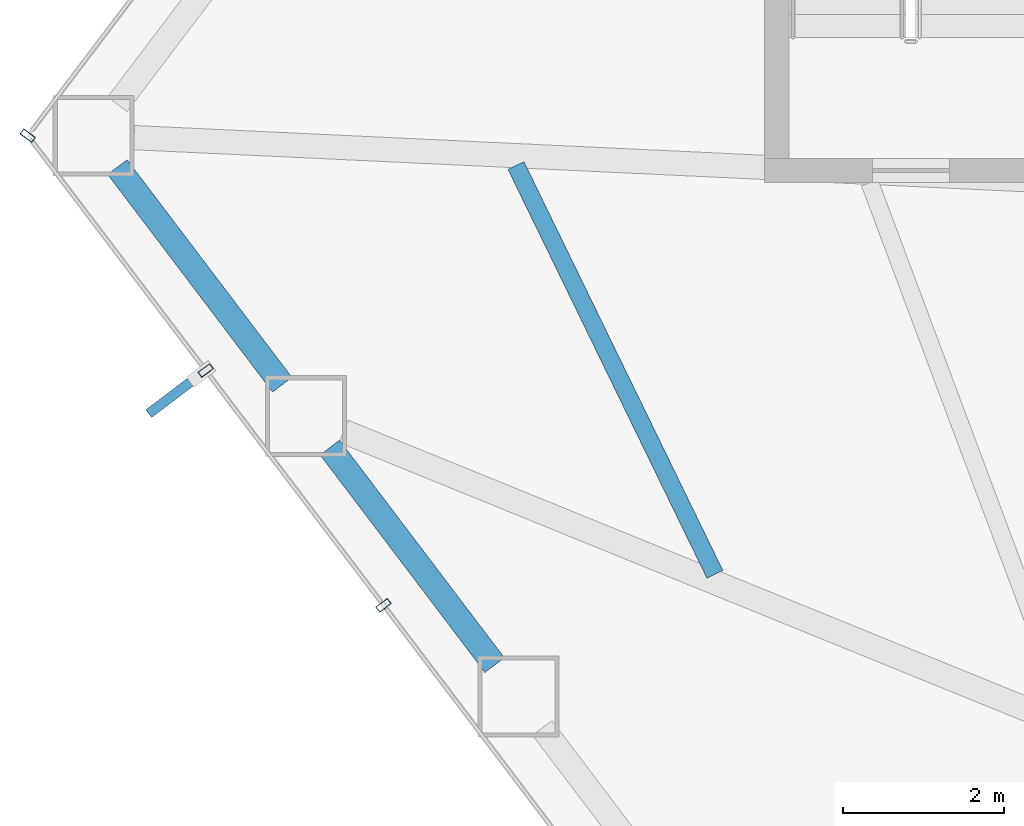
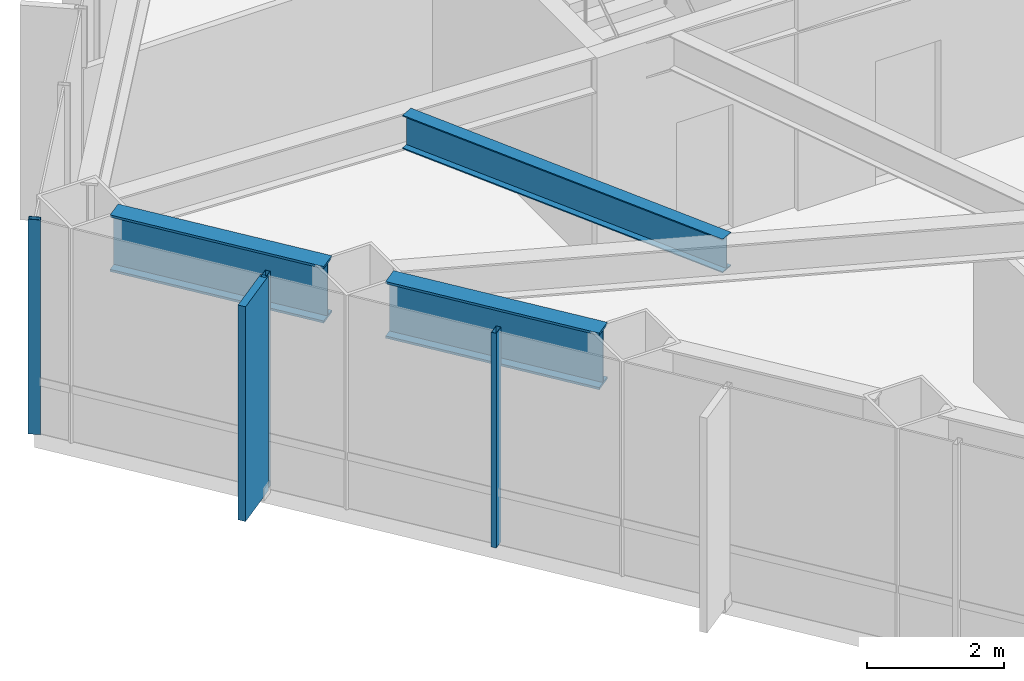
# One storey, part 3 of 26: 4 members, 3 beams, 2 elements without a shape of their own.
"""IFC4 building model written with IfcOpenShell, lengths in metres."""

import ifcopenshell
import ifcopenshell.guid

model = None  # the IFC model being written
_history = None  # IfcOwnerHistory: only IFC2X3 demands one
_inside = {}  # id of a spatial element -> (the spatial element, [elements in it])
_under = {}  # id of a project, library or spatial element -> (it, [spatial elements below it])
_declared = {}  # id of a project -> (the project, [libraries it declares])
_typed = {}  # id of a type object -> (the type object, [elements of that type])
_made_of = {}  # id of a material, layer set ... -> (it, [elements and type objects made of it])


def new_model(schema):
    """Start an empty IFC model of exactly this schema.

    Asked for "IFC4X3", IfcOpenShell would pick the latest addendum, in which some entities
    have other attributes; the version numbers below select the first issue.
    IFC2X3 requires an IfcOwnerHistory on every rooted entity: one is made here for all.
    """
    global model, _history
    if schema == "IFC4X3":
        model = ifcopenshell.file(schema_version=(4, 3, 0, 0))
    else:
        model = ifcopenshell.file(schema=schema)
    _inside.clear()
    _under.clear()
    _declared.clear()
    _typed.clear()
    _made_of.clear()
    _history = None
    if model.schema == "IFC2X3":
        org = make("IfcOrganization", Name="unknown")
        user = make(
            "IfcPersonAndOrganization",
            ThePerson=make("IfcPerson", FamilyName="unknown"),
            TheOrganization=org,
        )
        app = make(
            "IfcApplication",
            ApplicationDeveloper=org,
            Version="unknown",
            ApplicationFullName="unknown",
            ApplicationIdentifier="unknown",
        )
        _history = make(
            "IfcOwnerHistory",
            OwningUser=user,
            OwningApplication=app,
            ChangeAction="ADDED",
            CreationDate=0,
        )
    return model


def make(cls, **values):
    """One entity of the class cls with the attributes given. An attribute that is None is left unset."""
    return model.create_entity(
        cls, **{name: value for name, value in values.items() if value is not None}
    )


def rooted(cls, **values):
    """An entity with a GlobalId (a new one), such as an element, a storey or a relation."""
    return make(cls, GlobalId=ifcopenshell.guid.new(), OwnerHistory=_history, **values)


def si_unit(unit_type, name, prefix=None):
    """IfcSIUnit, for example si_unit("LENGTHUNIT", "METRE", prefix="MILLI")."""
    return make("IfcSIUnit", UnitType=unit_type, Prefix=prefix, Name=name)


def assignment(units):
    """IfcUnitAssignment: the units of a project."""
    return None if units is None else make("IfcUnitAssignment", Units=units)


def point(xyz):
    """IfcCartesianPoint."""
    return None if xyz is None else make("IfcCartesianPoint", Coordinates=xyz)


def direction(xyz):
    """IfcDirection."""
    return None if xyz is None else make("IfcDirection", DirectionRatios=xyz)


def frame(location, z_axis=None, x_axis=None):
    """IfcAxis2Placement3D, a coordinate frame: its origin and axes. An axis left out is left unset."""
    return make(
        "IfcAxis2Placement3D",
        Location=point(location),
        Axis=direction(z_axis),
        RefDirection=direction(x_axis),
    )


def frame_2d(location, x_axis=None):
    """IfcAxis2Placement2D, a coordinate frame in the plane: its origin and x axis."""
    return make(
        "IfcAxis2Placement2D", Location=point(location), RefDirection=direction(x_axis)
    )


def origin():
    """The frame at (0, 0, 0) with its axes left unset."""
    return frame((0.0, 0.0, 0.0))


def origin_2d():
    """The frame at (0, 0) in the plane with its x axis left unset."""
    return frame_2d((0.0, 0.0))


def place(relative_to, where):
    """IfcLocalPlacement: puts the frame where relative to a parent placement (None: the world)."""
    return make(
        "IfcLocalPlacement", PlacementRelTo=relative_to, RelativePlacement=where
    )


def context(
    kind, dimensions, precision=None, world=None, true_north=None, identifier=None
):
    """IfcGeometricRepresentationContext, for example the 3D "Model" context."""
    return make(
        "IfcGeometricRepresentationContext",
        ContextIdentifier=identifier,
        ContextType=kind,
        CoordinateSpaceDimension=dimensions,
        Precision=precision,
        WorldCoordinateSystem=world,
        TrueNorth=true_north,
    )


def subcontext(parent, identifier, kind, view, scale=None):
    """IfcGeometricRepresentationSubContext, for example "Body" below "Model"."""
    return make(
        "IfcGeometricRepresentationSubContext",
        ContextIdentifier=identifier,
        ContextType=kind,
        ParentContext=parent,
        TargetScale=scale,
        TargetView=view,
    )


def project(units=None, contexts=None):
    """IfcProject with its units and contexts."""
    return rooted(
        "IfcProject",
        Name="project",
        RepresentationContexts=contexts,
        UnitsInContext=assignment(units),
    )


def spatial(cls, under=None, at=None, **own):
    """A site, building, storey or space (cls), placed at a placement, below another one or the project."""
    s = rooted(cls, ObjectPlacement=at, **own)
    if under is not None:
        _under.setdefault(under.id(), (under, []))[1].append(s)
    return s


def profile(cls, at=None, kind="AREA", **sizes):
    """A parametric profile (cls). Its sizes go by their IFC names, for example OverallWidth=200.0."""
    return make(cls, ProfileType=kind, Position=at, **sizes)


def rectangle(**sizes):
    """IfcRectangleProfileDef."""
    return profile("IfcRectangleProfileDef", **sizes)


def hollow_rectangle(**sizes):
    """IfcRectangleHollowProfileDef."""
    return profile("IfcRectangleHollowProfileDef", **sizes)


def i_section(**sizes):
    """IfcIShapeProfileDef."""
    return profile("IfcIShapeProfileDef", **sizes)


def extrude(swept, where, along, depth):
    """IfcExtrudedAreaSolid: the profile swept, set in the frame where, extruded along a direction by depth."""
    return make(
        "IfcExtrudedAreaSolid",
        SweptArea=swept,
        Position=where,
        ExtrudedDirection=direction(along),
        Depth=depth,
    )


def shape(context_of_items, identifier, shape_type, items):
    """IfcShapeRepresentation: the items that make up one representation, for example the "Body"."""
    return make(
        "IfcShapeRepresentation",
        ContextOfItems=context_of_items,
        RepresentationIdentifier=identifier,
        RepresentationType=shape_type,
        Items=items,
    )


def material(Name=None, Category=None):
    """IfcMaterial."""
    return make("IfcMaterial", Name=Name, Category=Category)


def layer(
    of_material, thickness, ventilated=None, Name=None, Category=None, Priority=None
):
    """IfcMaterialLayer: one layer of a wall or slab, of a material (None: an air gap)."""
    return make(
        "IfcMaterialLayer",
        Material=of_material,
        LayerThickness=thickness,
        IsVentilated=ventilated,
        Name=Name,
        Category=Category,
        Priority=Priority,
    )


def layer_set(layers, Name=None):
    """IfcMaterialLayerSet."""
    return make("IfcMaterialLayerSet", MaterialLayers=layers, LayerSetName=Name)


def material_profile(
    of_material, cross_section, Name=None, Category=None, Priority=None
):
    """IfcMaterialProfile: a cross section and its material."""
    return make(
        "IfcMaterialProfile",
        Name=Name,
        Material=of_material,
        Profile=cross_section,
        Priority=Priority,
        Category=Category,
    )


def profile_set(profiles, Name=None, composite=None):
    """IfcMaterialProfileSet."""
    return make(
        "IfcMaterialProfileSet",
        Name=Name,
        MaterialProfiles=profiles,
        CompositeProfile=composite,
    )


def made_of(thing, what):
    """Note that an element or type object is made of a material, layer set ...; save() writes the relation."""
    if what is not None:
        _made_of.setdefault(what.id(), (what, []))[1].append(thing)
    return thing


def type_object(cls, material=None, **own):
    """A type object (cls), such as IfcWallType, which elements share."""
    return made_of(rooted(cls, **own), material)


def element(
    cls,
    number,
    at=None,
    inside=None,
    cuts=None,
    type_object=None,
    material=None,
    context=None,
    identifier="Body",
    shape_type=None,
    held_by="IfcProductDefinitionShape",
    body=None,
    shapes=None,
    **own,
):
    """One element of the class cls, such as IfcWall. Its Tag is "e" and its number.

    at: its placement. inside: the storey or other place that contains it. cuts: it is an
    opening in that element (IfcRelVoidsElement). A single representation is given by context,
    identifier, shape_type and body (its items); several are given by shapes. held_by: the class
    of the entity that holds the representations. save() writes the other relations.
    """
    e = rooted(cls, Tag="e%d" % number, ObjectPlacement=at, **own)
    if body is not None:
        shapes = [shape(context, identifier, shape_type, body)]
    if shapes is not None:
        e.Representation = make(held_by, Representations=shapes)
    if inside is not None:
        _inside.setdefault(inside.id(), (inside, []))[1].append(e)
    if cuts is not None:
        rooted(
            "IfcRelVoidsElement", RelatingBuildingElement=cuts, RelatedOpeningElement=e
        )
    if type_object is not None:
        _typed.setdefault(type_object.id(), (type_object, []))[1].append(e)
    return made_of(e, material)


def aggregate(whole, parts):
    """IfcRelAggregates: a whole, such as a stair, and the parts it consists of."""
    return rooted("IfcRelAggregates", RelatingObject=whole, RelatedObjects=parts)


def save(model, path):
    """Write the relations noted so far, then the file.

    IfcRelAggregates (storeys below a building ...), IfcRelContainedInSpatialStructure (elements
    in a storey), IfcRelDefinesByType, IfcRelAssociatesMaterial and IfcRelDeclares: one each for
    every whole, place, type object, material and project.
    """
    for whole, parts in _under.values():
        aggregate(whole, parts)
    for where, things in _inside.values():
        rooted(
            "IfcRelContainedInSpatialStructure",
            RelatedElements=things,
            RelatingStructure=where,
        )
    for kind, things in _typed.values():
        rooted("IfcRelDefinesByType", RelatedObjects=things, RelatingType=kind)
    for what, things in _made_of.values():
        rooted("IfcRelAssociatesMaterial", RelatedObjects=things, RelatingMaterial=what)
    for by, libraries in _declared.values():
        rooted("IfcRelDeclares", RelatingContext=by, RelatedDefinitions=libraries)
    model.write(path)


model = new_model("IFC4")

# Units and contexts
model_context = context("Model", 3, precision=1e-05, world=origin(), true_north=direction((0.0, 1.0)))
body_context = subcontext(model_context, "Body", "Model", "MODEL_VIEW")
ifc_project = project(units=[si_unit("LENGTHUNIT", "METRE"), si_unit("AREAUNIT", "SQUARE_METRE"), si_unit("VOLUMEUNIT", "CUBIC_METRE"), si_unit("PLANEANGLEUNIT", "RADIAN"), si_unit("MASSUNIT", "GRAM", prefix="KILO")], contexts=[model_context])

# Site, building, storey
site_placement = place(None, origin())
site = spatial("IfcSite", under=ifc_project, at=site_placement, CompositionType="ELEMENT")
building_placement = place(site_placement, origin())
building = spatial("IfcBuilding", under=site, at=building_placement, Name="Zarrinselat Tower", CompositionType="ELEMENT")
storey_placement = place(building_placement, frame((0.0, 0.0, 27.5400390625)))
storey = spatial("IfcBuildingStorey", under=building, at=storey_placement, Name="L06", CompositionType="ELEMENT", Elevation=27.5400390625)

# Beams
ifc_material_1 = material(Name="Steel S460M", Category="steel")
ifc_material_profile_1 = material_profile(ifc_material_1, i_section(OverallWidth=0.302001953125, OverallDepth=1.008056640625, WebThickness=0.02099609375, FlangeThickness=0.0400390625, at=origin_2d()), Name="HEM 1000")
ifc_profile_set_1 = profile_set([ifc_material_profile_1], Name="Steel S460M")
beam_type_1 = type_object("IfcBeamType", Name="BM-HEM1000", PredefinedType="BEAM", material=ifc_profile_set_1)
beam_1_placement = place(storey_placement, frame((17.06298828125, 33.342529296875, 3.31591796875), z_axis=(0.603852126588, -0.797096361311, 0.0), x_axis=(0.797096361311, 0.603852126588, 0.0)))
element("IfcBeam", 1, at=beam_1_placement, inside=storey, type_object=beam_type_1, Name="L06 Perimeter Spandrel Girder SP06", PredefinedType="BEAM", context=body_context, shape_type="SweptSolid", body=[
    extrude(i_section(OverallWidth=0.302001953125, OverallDepth=1.008056640625, WebThickness=0.02099609375, FlangeThickness=0.0400390625, at=origin_2d()), origin(), (0.0, 0.0, 1.0), 3.380859375),
])
beam_2_placement = place(storey_placement, frame((19.69384765625, 29.86962890625, 3.31591796875), z_axis=(0.603806241613, -0.797131120073, 0.0), x_axis=(0.797131120073, 0.603806241613, 0.0)))
element("IfcBeam", 2, at=beam_2_placement, inside=storey, type_object=beam_type_1, Name="L06 Perimeter Spandrel Girder SP07", PredefinedType="BEAM", context=body_context, shape_type="SweptSolid", body=[
    extrude(i_section(OverallWidth=0.302001953125, OverallDepth=1.008056640625, WebThickness=0.02099609375, FlangeThickness=0.0400390625, at=origin_2d()), origin(), (0.0, 0.0, 1.0), 3.380615234375),
])
ifc_material_2 = material(Name="Steel S355J2", Category="steel")
ifc_material_profile_2 = material_profile(ifc_material_2, i_section(OverallWidth=0.219970703125, OverallDepth=0.60009765625, WebThickness=0.011962890625, FlangeThickness=0.01904296875, at=origin_2d()), Name="IPE 600")
ifc_profile_set_2 = profile_set([ifc_material_profile_2], Name="Steel S355J2")
beam_type_2 = type_object("IfcBeamType", Name="BM-IPE600", PredefinedType="JOIST", material=ifc_profile_set_2)
beam_3_placement = place(storey_placement, frame((21.999267578125, 33.36181640625, 3.52001953125), z_axis=(0.437542489086, -0.899197737011, 0.0), x_axis=(0.899197737011, 0.437542489086, 0.0)))
element("IfcBeam", 3, at=beam_3_placement, inside=storey, type_object=beam_type_2, Name="L06 Composite Floor Joist 1-1", PredefinedType="JOIST", context=body_context, shape_type="SweptSolid", body=[
    extrude(i_section(OverallWidth=0.219970703125, OverallDepth=0.60009765625, WebThickness=0.011962890625, FlangeThickness=0.01904296875, at=origin_2d()), origin(), (0.0, 0.0, 1.0), 5.62939453125),
])

# Curtain wall, member
ifc_material_3 = material(Name="Extruded Aluminium Alloy EN AW-6063 T6", Category="aluminium")
ifc_layer = layer(ifc_material_3, 0.18505859375)
ifc_layer_set = layer_set([ifc_layer], Name="Extruded Aluminium Alloy EN AW-6063 T6")
curtain_wall_type = type_object("IfcCurtainWallType", Name="CWS-OFF", PredefinedType="NOTDEFINED", material=ifc_layer_set)
curtain_wall_1_placement = place(storey_placement, origin())
curtain_wall_1 = element("IfcCurtainWall", 4, at=curtain_wall_1_placement, inside=storey, type_object=curtain_wall_type, Name="L06 Unitised Curtain Wall CW-L06-E02", PredefinedType="NOTDEFINED")
ifc_material_4 = material(Name="Extruded Aluminium Alloy EN AW-6063 T6", Category="aluminium")
ifc_material_profile_3 = material_profile(ifc_material_4, hollow_rectangle(XDim=0.080078125, YDim=0.179931640625, WallThickness=0.0048828125, at=origin_2d()), Name="RHS 180x80x5")
ifc_profile_set_3 = profile_set([ifc_material_profile_3], Name="Extruded Aluminium Alloy EN AW-6063 T6")
member_type_1 = type_object("IfcMemberType", Name="MEM-CW-MUL", PredefinedType="MULLION", material=ifc_profile_set_3)
member_1_placement = place(storey_placement, frame((15.95263671875, 33.7314453125, 0.0), z_axis=(0.0, 0.0, 1.0), x_axis=(-0.603858715485, -0.797091369752, 0.0)))
member_1 = element("IfcMember", 5, at=member_1_placement, type_object=member_type_1, Name="CW-L06-E02 Mullion 9", PredefinedType="MULLION", context=body_context, shape_type="SweptSolid", body=[
    extrude(hollow_rectangle(XDim=0.080078125, YDim=0.179931640625, WallThickness=0.0048828125, at=origin_2d()), origin(), (0.0, 0.0, 1.0), 3.820068359375),
])
aggregate(curtain_wall_1, [member_1])

# Curtain wall, members
curtain_wall_2_placement = place(storey_placement, origin())
curtain_wall_2 = element("IfcCurtainWall", 6, at=curtain_wall_2_placement, inside=storey, type_object=curtain_wall_type, Name="L06 Unitised Curtain Wall CW-L06-E03", PredefinedType="NOTDEFINED")
member_2_placement = place(storey_placement, frame((18.156005859375, 30.8232421875, 0.0), z_axis=(0.0, 0.0, 1.0), x_axis=(0.603858215687, -0.797091748388, 0.0)))
member_2 = element("IfcMember", 7, at=member_2_placement, type_object=member_type_1, Name="CW-L06-E03 Mullion 1", PredefinedType="MULLION", context=body_context, shape_type="SweptSolid", body=[
    extrude(hollow_rectangle(XDim=0.080078125, YDim=0.179931640625, WallThickness=0.0048828125, at=origin_2d()), origin(), (0.0, 0.0, 1.0), 3.820068359375),
])
member_3_placement = place(storey_placement, frame((20.359130859375, 27.9150390625, 0.0), z_axis=(0.0, 0.0, 1.0), x_axis=(0.603858215687, -0.797091748388, 0.0)))
member_3 = element("IfcMember", 8, at=member_3_placement, type_object=member_type_1, Name="CW-L06-E03 Mullion 2", PredefinedType="MULLION", context=body_context, shape_type="SweptSolid", body=[
    extrude(hollow_rectangle(XDim=0.080078125, YDim=0.179931640625, WallThickness=0.0048828125, at=origin_2d()), origin(), (0.0, 0.0, 1.0), 3.820068359375),
])
ifc_material_5 = material(Name="Honed Cream Travertine Stone", Category="masonry")
ifc_material_profile_4 = material_profile(ifc_material_5, rectangle(XDim=0.1201171875, YDim=0.85009765625, at=origin_2d()), Name="FIN 850x120")
ifc_profile_set_4 = profile_set([ifc_material_profile_4], Name="Honed Cream Travertine Stone")
member_type_2 = type_object("IfcMemberType", Name="MEM-STONE-FIN", PredefinedType="USERDEFINED", material=ifc_profile_set_4)
member_4_placement = place(storey_placement, frame((17.789306640625, 30.54541015625, 0.0), z_axis=(0.0, 0.0, 1.0), x_axis=(-0.603858215687, 0.797091748388, 0.0)))
member_4 = element("IfcMember", 9, at=member_4_placement, type_object=member_type_2, Name="L06 Stone Shading Fin CW-L06-E03-01", ObjectType="FIN", PredefinedType="USERDEFINED", context=body_context, shape_type="SweptSolid", body=[
    extrude(rectangle(XDim=0.1201171875, YDim=0.85009765625, at=origin_2d()), origin(), (0.0, 0.0, 1.0), 3.820068359375),
])
aggregate(curtain_wall_2, [member_2, member_4, member_3])

save(model, "model.ifc")
